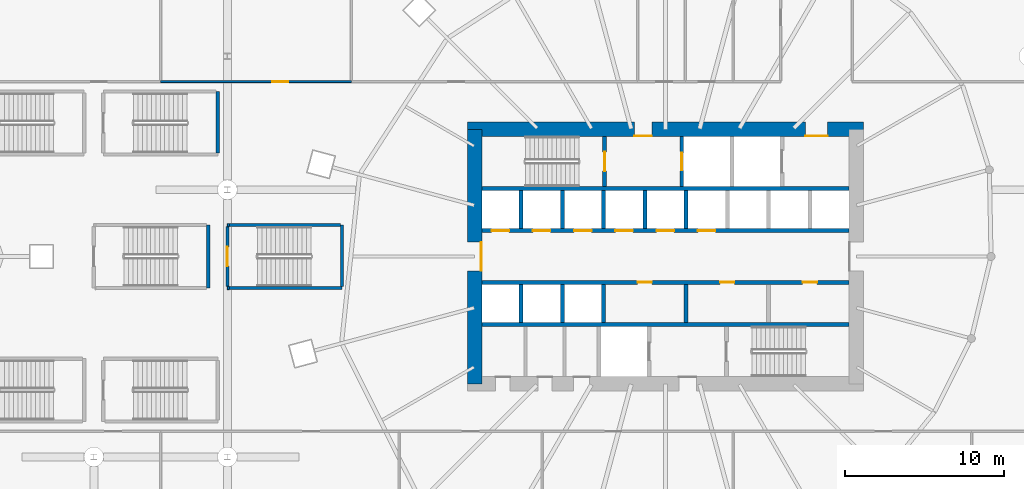
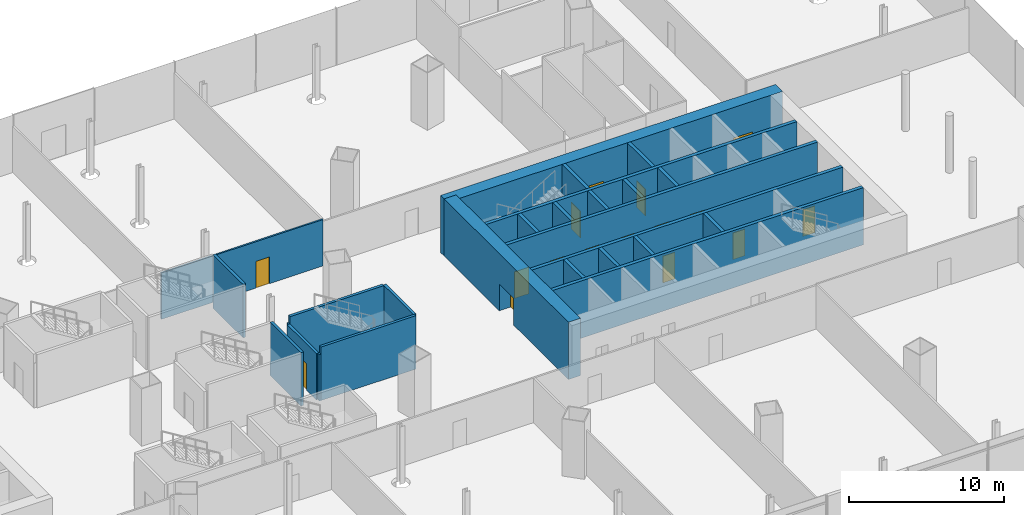
# One storey, part 42 of 56: 26 walls, 16 doors, 16 openings.
"""IFC4 building model written with IfcOpenShell, lengths in metres."""

from ifc_helpers import new_model, si_unit, direction, frame, frame_2d, origin, place, context, subcontext, project, spatial, rectangle, extrude, material, layer, layer_set, type_object, element, fill, save


model = new_model("IFC4")

# Units and contexts
model_context = context("Model", 3, precision=1e-05, world=origin(), true_north=direction((0.0, 1.0)))
body_context = subcontext(model_context, "Body", "Model", "MODEL_VIEW")
ifc_project = project(units=[si_unit("LENGTHUNIT", "METRE"), si_unit("AREAUNIT", "SQUARE_METRE"), si_unit("VOLUMEUNIT", "CUBIC_METRE"), si_unit("PLANEANGLEUNIT", "RADIAN"), si_unit("MASSUNIT", "GRAM", prefix="KILO")], contexts=[model_context])

# Site, building, storey
site_placement = place(None, origin())
site = spatial("IfcSite", under=ifc_project, at=site_placement, CompositionType="ELEMENT")
building_placement = place(site_placement, origin())
building = spatial("IfcBuilding", under=site, at=building_placement, Name="Rimbun Link Towers", CompositionType="ELEMENT")
storey_placement = place(building_placement, frame((0.0, 0.0, 16.5)))
storey = spatial("IfcBuildingStorey", under=building, at=storey_placement, Name="L03", CompositionType="ELEMENT", Elevation=16.5)

# Wall, openings, doors
ifc_material_1 = material(Name="Concrete C60/75", Category="concrete")
ifc_layer_1 = layer(ifc_material_1, 0.89990234375)
ifc_layer_set_1 = layer_set([ifc_layer_1], Name="Core shear wall 900")
wall_type_1 = type_object("IfcWallType", Name="Core shear wall 900", PredefinedType="SHEAR", material=ifc_layer_set_1)
wall_1_placement = place(storey_placement, frame((19.300048828125, 8.0, 0.0), z_axis=(0.0, 0.0, 1.0), x_axis=(1.0, 0.0, 0.0)))
wall_1 = element("IfcWall", 1, at=wall_1_placement, inside=storey, type_object=wall_type_1, Name="L03 T2 core wall N", PredefinedType="SHEAR", context=body_context, shape_type="SweptSolid", body=[
    extrude(rectangle(XDim=24.89990234375, YDim=0.89990234375, at=frame_2d((12.449951171875, 0.0))), origin(), (0.0, 0.0, 1.0), 4.5),
])
opening_1_placement = place(wall_1_placement, frame((10.5, 0.0, 0.0)))
opening_1 = element("IfcOpeningElement", 2, at=opening_1_placement, cuts=wall_1, Name="Opening C2DCF01N", PredefinedType="OPENING", context=body_context, shape_type="SweptSolid", body=[
    extrude(rectangle(XDim=1.10009765625, YDim=2.10009765625, at=frame_2d((0.550048828125, 1.050048828125))), frame((0.0, 0.4599609375, 0.0), z_axis=(0.0, -1.0, 0.0), x_axis=(1.0, 0.0, 0.0)), (0.0, 0.0, 1.0), 0.919921875),
])
opening_2_placement = place(wall_1_placement, frame((21.25, 0.0, 0.0)))
opening_2 = element("IfcOpeningElement", 3, at=opening_2_placement, cuts=wall_1, Name="Opening C2DSL02N", PredefinedType="OPENING", context=body_context, shape_type="SweptSolid", body=[
    extrude(rectangle(XDim=1.39990234375, YDim=2.10009765625, at=frame_2d((0.699951171875, 1.050048828125))), frame((0.0, 0.4599609375, 0.0), z_axis=(0.0, -1.0, 0.0), x_axis=(1.0, 0.0, 0.0)), (0.0, 0.0, 1.0), 0.919921875),
])
ifc_material_2 = material(Name="Steel fire door set", Category="steel")
door_type_1 = type_object("IfcDoorType", Name="Core fire door single", OperationType="SINGLE_SWING_LEFT", PredefinedType="DOOR", material=ifc_material_2)
door_1_placement = place(opening_1_placement, origin())
door_1 = element("IfcDoor", 4, at=door_1_placement, inside=storey, type_object=door_type_1, Name="L03 T2 firefighting lobby n door", OperationType="SINGLE_SWING_RIGHT", OverallHeight=2.10009765625, OverallWidth=1.10009765625, PredefinedType="DOOR", context=body_context, shape_type="SweptSolid", body=[
    extrude(rectangle(XDim=1.10009765625, YDim=2.10009765625, at=frame_2d((0.550048828125, 1.050048828125))), frame((0.0, -0.39990234375, 0.0), z_axis=(0.0, -1.0, 0.0), x_axis=(1.0, 0.0, 0.0)), (0.0, 0.0, 1.0), 0.050048828125),
])
fill(opening_1, door_1)
ifc_material_3 = material(Name="Steel fire door set", Category="steel")
door_type_2 = type_object("IfcDoorType", Name="Service lobby door double", OperationType="DOUBLE_DOOR_SINGLE_SWING", PredefinedType="DOOR", material=ifc_material_3)
door_2_placement = place(opening_2_placement, origin())
door_2 = element("IfcDoor", 5, at=door_2_placement, inside=storey, type_object=door_type_2, Name="L03 T2 service lobby door", OperationType="DOUBLE_DOOR_SINGLE_SWING", OverallHeight=2.10009765625, OverallWidth=1.39990234375, PredefinedType="DOOR", context=body_context, shape_type="SweptSolid", body=[
    extrude(rectangle(XDim=1.39990234375, YDim=2.10009765625, at=frame_2d((0.699951171875, 1.050048828125))), frame((0.0, -0.39990234375, 0.0), z_axis=(0.0, -1.0, 0.0), x_axis=(1.0, 0.0, 0.0)), (0.0, 0.0, 1.0), 0.050048828125),
])
fill(opening_2, door_2)

# Wall, opening, door
wall_2_placement = place(storey_placement, frame((19.75, -8.0, 0.0), z_axis=(0.0, 0.0, 1.0), x_axis=(0.0, 1.0, 0.0)))
wall_2 = element("IfcWall", 6, at=wall_2_placement, inside=storey, type_object=wall_type_1, Name="L03 T2 core wall W", PredefinedType="SHEAR", context=body_context, shape_type="SweptSolid", body=[
    extrude(rectangle(XDim=16.0, YDim=0.89990234375, at=frame_2d((8.0, 0.0))), origin(), (0.0, 0.0, 1.0), 4.5),
])
opening_3_placement = place(wall_2_placement, frame((7.10009765625, 0.0, 0.0)))
opening_3 = element("IfcOpeningElement", 7, at=opening_3_placement, cuts=wall_2, Name="Opening C2DCL01W", PredefinedType="OPENING", context=body_context, shape_type="SweptSolid", body=[
    extrude(rectangle(XDim=1.800048828125, YDim=2.10009765625, at=frame_2d((0.89990234375, 1.050048828125))), frame((0.0, 0.4599609375, 0.0), z_axis=(0.0, -1.0, 0.0), x_axis=(1.0, 0.0, 0.0)), (0.0, 0.0, 1.0), 0.919921875),
])
ifc_material_4 = material(Name="Steel fire door set", Category="steel")
door_type_3 = type_object("IfcDoorType", Name="Core lobby door double", OperationType="DOUBLE_DOOR_SINGLE_SWING", PredefinedType="DOOR", material=ifc_material_4)
door_3_placement = place(opening_3_placement, origin())
door_3 = element("IfcDoor", 8, at=door_3_placement, inside=storey, type_object=door_type_3, Name="L03 T2 lift lobby door", OperationType="DOUBLE_DOOR_SINGLE_SWING", OverallHeight=2.10009765625, OverallWidth=1.800048828125, PredefinedType="DOOR", context=body_context, shape_type="SweptSolid", body=[
    extrude(rectangle(XDim=1.800048828125, YDim=2.10009765625, at=frame_2d((0.89990234375, 1.050048828125))), frame((0.0, -0.39990234375, 0.0), z_axis=(0.0, -1.0, 0.0), x_axis=(1.0, 0.0, 0.0)), (0.0, 0.0, 1.0), 0.050048828125),
])
fill(opening_3, door_3)

ifc_material_5 = material(Name="Gypsum board on steel studs", Category="steel")
ifc_layer_2 = layer(ifc_material_5, 0.125)
ifc_layer_set_2 = layer_set([ifc_layer_2], Name="Partition 125 board on studs")
wall_type_2 = type_object("IfcWallType", Name="Partition 125 board on studs", PredefinedType="PARTITIONING", material=ifc_layer_set_2)
wall_3_placement = place(storey_placement, frame((12.0, 11.0, 0.0), z_axis=(0.0, 0.0, 1.0), x_axis=(-1.0, 0.0, 0.0)))
wall_3 = element("IfcWall", 9, at=wall_3_placement, inside=storey, type_object=wall_type_2, Name="PD/PW/L03/042", PredefinedType="PARTITIONING", context=body_context, shape_type="SweptSolid", body=[
    extrude(rectangle(XDim=12.0, YDim=0.125, at=frame_2d((6.0, 0.0))), origin(), (0.0, 0.0, 1.0), 3.64697265625),
])
opening_4_placement = place(wall_3_placement, frame((3.985107421875, 0.0, 0.0)))
opening_4 = element("IfcOpeningElement", 10, at=opening_4_placement, cuts=wall_3, Name="Opening PD D03.20", PredefinedType="OPENING", context=body_context, shape_type="SweptSolid", body=[
    extrude(rectangle(XDim=1.0, YDim=2.10009765625, at=frame_2d((0.5, 1.050048828125))), frame((0.0, 0.072509765625, 0.0), z_axis=(0.0, -1.0, 0.0), x_axis=(1.0, 0.0, 0.0)), (0.0, 0.0, 1.0), 0.14501953125),
])
ifc_material_6 = material(Name="Timber door set", Category="wood")
door_type_4 = type_object("IfcDoorType", Name="Door single leaf 1000 x 2100", OperationType="NOTDEFINED", PredefinedType="DOOR", material=ifc_material_6)
door_4_placement = place(opening_4_placement, origin())
door_4 = element("IfcDoor", 11, at=door_4_placement, inside=storey, type_object=door_type_4, Name="PD/DR/L03/020", OperationType="SINGLE_SWING_LEFT", OverallHeight=2.10009765625, OverallWidth=1.0, PredefinedType="DOOR", context=body_context, shape_type="SweptSolid", body=[
    extrude(rectangle(XDim=1.0, YDim=2.10009765625, at=frame_2d((0.5, 1.050048828125))), frame((0.0, 0.02490234375, 0.0), z_axis=(0.0, -1.0, 0.0), x_axis=(1.0, 0.0, 0.0)), (0.0, 0.0, 1.0), 0.050048828125),
])
fill(opening_4, door_4)

# Walls
ifc_material_7 = material(Name="Concrete C60/75", Category="concrete")
ifc_layer_3 = layer(ifc_material_7, 0.25)
ifc_layer_set_3 = layer_set([ifc_layer_3], Name="Shaft wall 250")
wall_type_3 = type_object("IfcWallType", Name="Shaft wall 250", PredefinedType="SHEAR", material=ifc_layer_set_3)
for number, where, z_axis, x_axis, name in (
    (12, (20.199951171875, 4.27490234375, 0.0), (0.0, 0.0, 1.0), (1.0, 0.0, 0.0), "L03 T2 core wall BN"),
    (13, (20.199951171875, -4.27490234375, 0.0), (0.0, 0.0, 1.0), (1.0, 0.0, 0.0), "L03 T2 core wall BS"),
):
    element("IfcWall", number, at=place(storey_placement, frame(where, z_axis=z_axis, x_axis=x_axis)), inside=storey, type_object=wall_type_3, Name=name, PredefinedType="SHEAR", context=body_context, shape_type="SweptSolid", body=[
        extrude(rectangle(XDim=23.10009765625, YDim=0.25, at=frame_2d((11.550048828125, 0.0))), origin(), (0.0, 0.0, 1.0), 4.5),
    ])

# Wall, openings, doors
wall_4_placement = place(storey_placement, frame((20.199951171875, 1.625, 0.0), z_axis=(0.0, 0.0, 1.0), x_axis=(1.0, 0.0, 0.0)))
wall_4 = element("IfcWall", 14, at=wall_4_placement, inside=storey, type_object=wall_type_3, Name="L03 T2 core wall FN", PredefinedType="SHEAR", context=body_context, shape_type="SweptSolid", body=[
    extrude(rectangle(XDim=23.10009765625, YDim=0.25, at=frame_2d((11.550048828125, 0.0))), origin(), (0.0, 0.0, 1.0), 4.5),
])
opening_5_placement = place(wall_4_placement, frame((0.622314453125, 0.0, 0.0)))
opening_5 = element("IfcOpeningElement", 15, at=opening_5_placement, cuts=wall_4, Name="Opening LD-T2-LR1", PredefinedType="OPENING", context=body_context, shape_type="SweptSolid", body=[
    extrude(rectangle(XDim=1.10009765625, YDim=2.10009765625, at=frame_2d((0.550048828125, 1.050048828125))), frame((0.0, 0.135009765625, 0.0), z_axis=(0.0, -1.0, 0.0), x_axis=(1.0, 0.0, 0.0)), (0.0, 0.0, 1.0), 0.27001953125),
])
opening_6_placement = place(wall_4_placement, frame((3.216796875, 0.0, 0.0)))
opening_6 = element("IfcOpeningElement", 16, at=opening_6_placement, cuts=wall_4, Name="Opening LD-T2-LR2", PredefinedType="OPENING", context=body_context, shape_type="SweptSolid", body=[
    extrude(rectangle(XDim=1.10009765625, YDim=2.10009765625, at=frame_2d((0.550048828125, 1.050048828125))), frame((0.0, 0.135009765625, 0.0), z_axis=(0.0, -1.0, 0.0), x_axis=(1.0, 0.0, 0.0)), (0.0, 0.0, 1.0), 0.27001953125),
])
opening_7_placement = place(wall_4_placement, frame((5.81103515625, 0.0, 0.0)))
opening_7 = element("IfcOpeningElement", 17, at=opening_7_placement, cuts=wall_4, Name="Opening LD-T2-LR3", PredefinedType="OPENING", context=body_context, shape_type="SweptSolid", body=[
    extrude(rectangle(XDim=1.10009765625, YDim=2.10009765625, at=frame_2d((0.550048828125, 1.050048828125))), frame((0.0, 0.135009765625, 0.0), z_axis=(0.0, -1.0, 0.0), x_axis=(1.0, 0.0, 0.0)), (0.0, 0.0, 1.0), 0.27001953125),
])
opening_8_placement = place(wall_4_placement, frame((8.405517578125, 0.0, 0.0)))
opening_8 = element("IfcOpeningElement", 18, at=opening_8_placement, cuts=wall_4, Name="Opening LD-T2-LR4", PredefinedType="OPENING", context=body_context, shape_type="SweptSolid", body=[
    extrude(rectangle(XDim=1.10009765625, YDim=2.10009765625, at=frame_2d((0.550048828125, 1.050048828125))), frame((0.0, 0.135009765625, 0.0), z_axis=(0.0, -1.0, 0.0), x_axis=(1.0, 0.0, 0.0)), (0.0, 0.0, 1.0), 0.27001953125),
])
opening_9_placement = place(wall_4_placement, frame((11.0, 0.0, 0.0)))
opening_9 = element("IfcOpeningElement", 19, at=opening_9_placement, cuts=wall_4, Name="Opening LD-T2-LR5", PredefinedType="OPENING", context=body_context, shape_type="SweptSolid", body=[
    extrude(rectangle(XDim=1.10009765625, YDim=2.10009765625, at=frame_2d((0.550048828125, 1.050048828125))), frame((0.0, 0.135009765625, 0.0), z_axis=(0.0, -1.0, 0.0), x_axis=(1.0, 0.0, 0.0)), (0.0, 0.0, 1.0), 0.27001953125),
])
opening_10_placement = place(wall_4_placement, frame((13.594482421875, 0.0, 0.0)))
opening_10 = element("IfcOpeningElement", 20, at=opening_10_placement, cuts=wall_4, Name="Opening LD-T2-LR6", PredefinedType="OPENING", context=body_context, shape_type="SweptSolid", body=[
    extrude(rectangle(XDim=1.10009765625, YDim=2.10009765625, at=frame_2d((0.550048828125, 1.050048828125))), frame((0.0, 0.135009765625, 0.0), z_axis=(0.0, -1.0, 0.0), x_axis=(1.0, 0.0, 0.0)), (0.0, 0.0, 1.0), 0.27001953125),
])
ifc_material_8 = material(Name="Stainless steel grade 316", Category="steel")
door_type_5 = type_object("IfcDoorType", Name="Lift landing door", OperationType="DOUBLE_DOOR_SLIDING", PredefinedType="DOOR", material=ifc_material_8)
door_5_placement = place(opening_5_placement, origin())
door_5 = element("IfcDoor", 21, at=door_5_placement, inside=storey, type_object=door_type_5, Name="L03 T2 lift LR1 landing door", OperationType="DOUBLE_DOOR_SLIDING", OverallHeight=2.10009765625, OverallWidth=1.10009765625, PredefinedType="DOOR", context=body_context, shape_type="SweptSolid", body=[
    extrude(rectangle(XDim=1.10009765625, YDim=2.10009765625, at=frame_2d((0.550048828125, 1.050048828125))), frame((0.0, 0.02490234375, 0.0), z_axis=(0.0, -1.0, 0.0), x_axis=(1.0, 0.0, 0.0)), (0.0, 0.0, 1.0), 0.050048828125),
])
fill(opening_5, door_5)
door_6_placement = place(opening_6_placement, origin())
door_6 = element("IfcDoor", 22, at=door_6_placement, inside=storey, type_object=door_type_5, Name="L03 T2 lift LR2 landing door", OperationType="DOUBLE_DOOR_SLIDING", OverallHeight=2.10009765625, OverallWidth=1.10009765625, PredefinedType="DOOR", context=body_context, shape_type="SweptSolid", body=[
    extrude(rectangle(XDim=1.10009765625, YDim=2.10009765625, at=frame_2d((0.550048828125, 1.050048828125))), frame((0.0, 0.02490234375, 0.0), z_axis=(0.0, -1.0, 0.0), x_axis=(1.0, 0.0, 0.0)), (0.0, 0.0, 1.0), 0.050048828125),
])
fill(opening_6, door_6)
door_7_placement = place(opening_7_placement, origin())
door_7 = element("IfcDoor", 23, at=door_7_placement, inside=storey, type_object=door_type_5, Name="L03 T2 lift LR3 landing door", OperationType="DOUBLE_DOOR_SLIDING", OverallHeight=2.10009765625, OverallWidth=1.10009765625, PredefinedType="DOOR", context=body_context, shape_type="SweptSolid", body=[
    extrude(rectangle(XDim=1.10009765625, YDim=2.10009765625, at=frame_2d((0.550048828125, 1.050048828125))), frame((0.0, 0.02490234375, 0.0), z_axis=(0.0, -1.0, 0.0), x_axis=(1.0, 0.0, 0.0)), (0.0, 0.0, 1.0), 0.050048828125),
])
fill(opening_7, door_7)
door_8_placement = place(opening_8_placement, origin())
door_8 = element("IfcDoor", 24, at=door_8_placement, inside=storey, type_object=door_type_5, Name="L03 T2 lift LR4 landing door", OperationType="DOUBLE_DOOR_SLIDING", OverallHeight=2.10009765625, OverallWidth=1.10009765625, PredefinedType="DOOR", context=body_context, shape_type="SweptSolid", body=[
    extrude(rectangle(XDim=1.10009765625, YDim=2.10009765625, at=frame_2d((0.550048828125, 1.050048828125))), frame((0.0, 0.02490234375, 0.0), z_axis=(0.0, -1.0, 0.0), x_axis=(1.0, 0.0, 0.0)), (0.0, 0.0, 1.0), 0.050048828125),
])
fill(opening_8, door_8)
door_9_placement = place(opening_9_placement, origin())
door_9 = element("IfcDoor", 25, at=door_9_placement, inside=storey, type_object=door_type_5, Name="L03 T2 lift LR5 landing door", OperationType="DOUBLE_DOOR_SLIDING", OverallHeight=2.10009765625, OverallWidth=1.10009765625, PredefinedType="DOOR", context=body_context, shape_type="SweptSolid", body=[
    extrude(rectangle(XDim=1.10009765625, YDim=2.10009765625, at=frame_2d((0.550048828125, 1.050048828125))), frame((0.0, 0.02490234375, 0.0), z_axis=(0.0, -1.0, 0.0), x_axis=(1.0, 0.0, 0.0)), (0.0, 0.0, 1.0), 0.050048828125),
])
fill(opening_9, door_9)
door_10_placement = place(opening_10_placement, origin())
door_10 = element("IfcDoor", 26, at=door_10_placement, inside=storey, type_object=door_type_5, Name="L03 T2 lift LR6 landing door", OperationType="DOUBLE_DOOR_SLIDING", OverallHeight=2.10009765625, OverallWidth=1.10009765625, PredefinedType="DOOR", context=body_context, shape_type="SweptSolid", body=[
    extrude(rectangle(XDim=1.10009765625, YDim=2.10009765625, at=frame_2d((0.550048828125, 1.050048828125))), frame((0.0, 0.02490234375, 0.0), z_axis=(0.0, -1.0, 0.0), x_axis=(1.0, 0.0, 0.0)), (0.0, 0.0, 1.0), 0.050048828125),
])
fill(opening_10, door_10)

wall_5_placement = place(storey_placement, frame((20.199951171875, -1.625, 0.0), z_axis=(0.0, 0.0, 1.0), x_axis=(1.0, 0.0, 0.0)))
wall_5 = element("IfcWall", 27, at=wall_5_placement, inside=storey, type_object=wall_type_3, Name="L03 T2 core wall FS", PredefinedType="SHEAR", context=body_context, shape_type="SweptSolid", body=[
    extrude(rectangle(XDim=23.10009765625, YDim=0.25, at=frame_2d((11.550048828125, 0.0))), origin(), (0.0, 0.0, 1.0), 4.5),
])
opening_11_placement = place(wall_5_placement, frame((9.802734375, 0.0, 0.0)))
opening_11 = element("IfcOpeningElement", 28, at=opening_11_placement, cuts=wall_5, Name="Opening C2DRS01FS", PredefinedType="OPENING", context=body_context, shape_type="SweptSolid", body=[
    extrude(rectangle(XDim=0.89990234375, YDim=2.10009765625, at=frame_2d((0.449951171875, 1.050048828125))), frame((0.0, 0.135009765625, 0.0), z_axis=(0.0, -1.0, 0.0), x_axis=(1.0, 0.0, 0.0)), (0.0, 0.0, 1.0), 0.27001953125),
])
opening_12_placement = place(wall_5_placement, frame((14.99169921875, 0.0, 0.0)))
opening_12 = element("IfcOpeningElement", 29, at=opening_12_placement, cuts=wall_5, Name="Opening C2DRS02FS", PredefinedType="OPENING", context=body_context, shape_type="SweptSolid", body=[
    extrude(rectangle(XDim=0.89990234375, YDim=2.10009765625, at=frame_2d((0.449951171875, 1.050048828125))), frame((0.0, 0.135009765625, 0.0), z_axis=(0.0, -1.0, 0.0), x_axis=(1.0, 0.0, 0.0)), (0.0, 0.0, 1.0), 0.27001953125),
])
opening_13_placement = place(wall_5_placement, frame((20.1806640625, 0.0, 0.0)))
opening_13 = element("IfcOpeningElement", 30, at=opening_13_placement, cuts=wall_5, Name="Opening C2DRS03FS", PredefinedType="OPENING", context=body_context, shape_type="SweptSolid", body=[
    extrude(rectangle(XDim=0.89990234375, YDim=2.10009765625, at=frame_2d((0.449951171875, 1.050048828125))), frame((0.0, 0.135009765625, 0.0), z_axis=(0.0, -1.0, 0.0), x_axis=(1.0, 0.0, 0.0)), (0.0, 0.0, 1.0), 0.27001953125),
])
ifc_material_9 = material(Name="Steel fire door set", Category="steel")
door_type_6 = type_object("IfcDoorType", Name="Core riser door", OperationType="SINGLE_SWING_LEFT", PredefinedType="DOOR", material=ifc_material_9)
door_11_placement = place(opening_11_placement, origin())
door_11 = element("IfcDoor", 31, at=door_11_placement, inside=storey, type_object=door_type_6, Name="L03 T2 server room door", OperationType="SINGLE_SWING_LEFT", OverallHeight=2.10009765625, OverallWidth=0.89990234375, PredefinedType="DOOR", context=body_context, shape_type="SweptSolid", body=[
    extrude(rectangle(XDim=0.89990234375, YDim=2.10009765625, at=frame_2d((0.449951171875, 1.050048828125))), frame((0.0, 0.02490234375, 0.0), z_axis=(0.0, -1.0, 0.0), x_axis=(1.0, 0.0, 0.0)), (0.0, 0.0, 1.0), 0.050048828125),
])
fill(opening_11, door_11)
door_12_placement = place(opening_12_placement, origin())
door_12 = element("IfcDoor", 32, at=door_12_placement, inside=storey, type_object=door_type_6, Name="L03 T2 print room door", OperationType="SINGLE_SWING_RIGHT", OverallHeight=2.10009765625, OverallWidth=0.89990234375, PredefinedType="DOOR", context=body_context, shape_type="SweptSolid", body=[
    extrude(rectangle(XDim=0.89990234375, YDim=2.10009765625, at=frame_2d((0.449951171875, 1.050048828125))), frame((0.0, 0.02490234375, 0.0), z_axis=(0.0, -1.0, 0.0), x_axis=(1.0, 0.0, 0.0)), (0.0, 0.0, 1.0), 0.050048828125),
])
fill(opening_12, door_12)
door_13_placement = place(opening_13_placement, origin())
door_13 = element("IfcDoor", 33, at=door_13_placement, inside=storey, type_object=door_type_6, Name="L03 T2 staff lounge door", OperationType="SINGLE_SWING_LEFT", OverallHeight=2.10009765625, OverallWidth=0.89990234375, PredefinedType="DOOR", context=body_context, shape_type="SweptSolid", body=[
    extrude(rectangle(XDim=0.89990234375, YDim=2.10009765625, at=frame_2d((0.449951171875, 1.050048828125))), frame((0.0, 0.02490234375, 0.0), z_axis=(0.0, -1.0, 0.0), x_axis=(1.0, 0.0, 0.0)), (0.0, 0.0, 1.0), 0.050048828125),
])
fill(opening_13, door_13)

# Walls
for number, where, z_axis, x_axis, name in (
    (34, (22.66943359375, 1.75, 0.0), (0.0, 0.0, 1.0), (0.0, 1.0, 0.0), "L03 T2 core wall DN0"),
    (35, (25.263916015625, 1.75, 0.0), (0.0, 0.0, 1.0), (0.0, 1.0, 0.0), "L03 T2 core wall DN1"),
    (36, (27.8583984375, 1.75, 0.0), (0.0, 0.0, 1.0), (0.0, 1.0, 0.0), "L03 T2 core wall DN2"),
    (37, (30.452880859375, 1.75, 0.0), (0.0, 0.0, 1.0), (0.0, 1.0, 0.0), "L03 T2 core wall DN3"),
    (38, (33.047119140625, 1.75, 0.0), (0.0, 0.0, 1.0), (0.0, 1.0, 0.0), "L03 T2 core wall DN4"),
    (39, (22.66943359375, -4.14990234375, 0.0), (0.0, 0.0, 1.0), (0.0, 1.0, 0.0), "L03 T2 core wall DS0"),
    (40, (25.263916015625, -4.14990234375, 0.0), (0.0, 0.0, 1.0), (0.0, 1.0, 0.0), "L03 T2 core wall DS1"),
    (41, (27.8583984375, -4.14990234375, 0.0), (0.0, 0.0, 1.0), (0.0, 1.0, 0.0), "L03 T2 core wall DS2"),
    (42, (33.047119140625, -4.14990234375, 0.0), (0.0, 0.0, 1.0), (0.0, 1.0, 0.0), "L03 T2 core wall DS4"),
):
    element("IfcWall", number, at=place(storey_placement, frame(where, z_axis=z_axis, x_axis=x_axis)), inside=storey, type_object=wall_type_3, Name=name, PredefinedType="SHEAR", context=body_context, shape_type="SweptSolid", body=[
        extrude(rectangle(XDim=2.39990234375, YDim=0.25, at=frame_2d((1.199951171875, 0.0))), origin(), (0.0, 0.0, 1.0), 4.5),
    ])

# Wall, opening, door
wall_6_placement = place(storey_placement, frame((27.925048828125, 4.39990234375, 0.0), z_axis=(0.0, 0.0, 1.0), x_axis=(0.0, 1.0, 0.0)))
wall_6 = element("IfcWall", 43, at=wall_6_placement, inside=storey, type_object=wall_type_3, Name="L03 T2 core wall A1", PredefinedType="SHEAR", context=body_context, shape_type="SweptSolid", body=[
    extrude(rectangle(XDim=3.150146484375, YDim=0.25, at=frame_2d((1.5751953125, 0.0))), origin(), (0.0, 0.0, 1.0), 4.5),
])
opening_14_placement = place(wall_6_placement, frame((0.97509765625, 0.0, 0.0)))
opening_14 = element("IfcOpeningElement", 44, at=opening_14_placement, cuts=wall_6, Name="Opening C2DST01A1", PredefinedType="OPENING", context=body_context, shape_type="SweptSolid", body=[
    extrude(rectangle(XDim=1.199951171875, YDim=2.10009765625, at=frame_2d((0.60009765625, 1.050048828125))), frame((0.0, 0.135009765625, 0.0), z_axis=(0.0, -1.0, 0.0), x_axis=(1.0, 0.0, 0.0)), (0.0, 0.0, 1.0), 0.27001953125),
])
ifc_material_10 = material(Name="Steel fire door set", Category="steel")
door_type_7 = type_object("IfcDoorType", Name="Stair door", OperationType="SINGLE_SWING_LEFT", PredefinedType="DOOR", material=ifc_material_10)
door_14_placement = place(opening_14_placement, origin())
door_14 = element("IfcDoor", 45, at=door_14_placement, inside=storey, type_object=door_type_7, Name="L03 T2 stair a door", OperationType="SINGLE_SWING_RIGHT", OverallHeight=2.10009765625, OverallWidth=1.199951171875, PredefinedType="DOOR", context=body_context, shape_type="SweptSolid", body=[
    extrude(rectangle(XDim=1.199951171875, YDim=2.10009765625, at=frame_2d((0.60009765625, 1.050048828125))), frame((0.0, 0.02490234375, 0.0), z_axis=(0.0, -1.0, 0.0), x_axis=(1.0, 0.0, 0.0)), (0.0, 0.0, 1.0), 0.050048828125),
])
fill(opening_14, door_14)

wall_7_placement = place(storey_placement, frame((32.77490234375, 4.39990234375, 0.0), z_axis=(0.0, 0.0, 1.0), x_axis=(0.0, 1.0, 0.0)))
wall_7 = element("IfcWall", 46, at=wall_7_placement, inside=storey, type_object=wall_type_3, Name="L03 T2 core wall A2", PredefinedType="SHEAR", context=body_context, shape_type="SweptSolid", body=[
    extrude(rectangle(XDim=3.150146484375, YDim=0.25, at=frame_2d((1.5751953125, 0.0))), origin(), (0.0, 0.0, 1.0), 4.5),
])
opening_15_placement = place(wall_7_placement, frame((1.02490234375, 0.0, 0.0)))
opening_15 = element("IfcOpeningElement", 47, at=opening_15_placement, cuts=wall_7, Name="Opening LD-T2-FF1", PredefinedType="OPENING", context=body_context, shape_type="SweptSolid", body=[
    extrude(rectangle(XDim=1.10009765625, YDim=2.10009765625, at=frame_2d((0.550048828125, 1.050048828125))), frame((0.0, 0.135009765625, 0.0), z_axis=(0.0, -1.0, 0.0), x_axis=(1.0, 0.0, 0.0)), (0.0, 0.0, 1.0), 0.27001953125),
])
door_15_placement = place(opening_15_placement, origin())
door_15 = element("IfcDoor", 48, at=door_15_placement, inside=storey, type_object=door_type_5, Name="L03 T2 lift FF1 landing door", OperationType="DOUBLE_DOOR_SLIDING", OverallHeight=2.10009765625, OverallWidth=1.10009765625, PredefinedType="DOOR", context=body_context, shape_type="SweptSolid", body=[
    extrude(rectangle(XDim=1.10009765625, YDim=2.10009765625, at=frame_2d((0.550048828125, 1.050048828125))), frame((0.0, 0.02490234375, 0.0), z_axis=(0.0, -1.0, 0.0), x_axis=(1.0, 0.0, 0.0)), (0.0, 0.0, 1.0), 0.050048828125),
])
fill(opening_15, door_15)

# Walls
ifc_material_11 = material(Name="Concrete C40/50", Category="concrete")
ifc_layer_4 = layer(ifc_material_11, 0.199951171875)
ifc_layer_set_4 = layer_set([ifc_layer_4], Name="Stair shaft wall 200")
wall_type_4 = type_object("IfcWallType", Name="Stair shaft wall 200", PredefinedType="SOLIDWALL", material=ifc_layer_set_4)
wall_8_placement = place(storey_placement, frame((3.60009765625, 6.52490234375, 0.0), z_axis=(0.0, 0.0, 1.0), x_axis=(0.0, 1.0, 0.0)))
element("IfcWall", 49, at=wall_8_placement, inside=storey, type_object=wall_type_4, Name="PD/PW/L03/014", PredefinedType="SOLIDWALL", context=body_context, shape_type="SweptSolid", body=[
    extrude(rectangle(XDim=3.85009765625, YDim=0.199951171875, at=frame_2d((1.925048828125, 0.0))), origin(), (0.0, 0.0, 1.0), 4.199951171875),
])
wall_9_placement = place(storey_placement, frame((4.199951171875, -1.97509765625, 0.0), z_axis=(0.0, 0.0, 1.0), x_axis=(1.0, 0.0, 0.0)))
element("IfcWall", 50, at=wall_9_placement, inside=storey, type_object=wall_type_4, Name="PD/PW/L03/017", PredefinedType="SOLIDWALL", context=body_context, shape_type="SweptSolid", body=[
    extrude(rectangle(XDim=0.124755859375, YDim=0.199951171875, at=frame_2d((0.0625, 0.0))), origin(), (0.0, 0.0, 1.0), 3.64697265625),
])
wall_10_placement = place(storey_placement, frame((4.32470703125, -1.97509765625, 0.0), z_axis=(0.0, 0.0, 1.0), x_axis=(1.0, 0.0, 0.0)))
element("IfcWall", 51, at=wall_10_placement, inside=storey, type_object=wall_type_4, Name="PD/PW/L03/017b", PredefinedType="SOLIDWALL", context=body_context, shape_type="SweptSolid", body=[
    extrude(rectangle(XDim=7.0751953125, YDim=0.199951171875, at=frame_2d((3.53759765625, 0.0))), origin(), (0.0, 0.0, 1.0), 4.199951171875),
])
wall_11_placement = place(storey_placement, frame((11.39990234375, -1.875, 0.0), z_axis=(0.0, 0.0, 1.0), x_axis=(0.0, 1.0, 0.0)))
element("IfcWall", 52, at=wall_11_placement, inside=storey, type_object=wall_type_4, Name="PD/PW/L03/018", PredefinedType="SOLIDWALL", context=body_context, shape_type="SweptSolid", body=[
    extrude(rectangle(XDim=3.85009765625, YDim=0.199951171875, at=frame_2d((1.925048828125, 0.0))), origin(), (0.0, 0.0, 1.0), 4.199951171875),
])
wall_12_placement = place(storey_placement, frame((11.300048828125, 1.97509765625, 0.0), z_axis=(0.0, 0.0, 1.0), x_axis=(-1.0, 0.0, 0.0)))
element("IfcWall", 53, at=wall_12_placement, inside=storey, type_object=wall_type_4, Name="PD/PW/L03/019", PredefinedType="SOLIDWALL", context=body_context, shape_type="SweptSolid", body=[
    extrude(rectangle(XDim=6.975341796875, YDim=0.199951171875, at=frame_2d((3.48779296875, 0.0))), origin(), (0.0, 0.0, 1.0), 4.199951171875),
])
wall_13_placement = place(storey_placement, frame((4.32470703125, 1.97509765625, 0.0), z_axis=(0.0, 0.0, 1.0), x_axis=(-1.0, 0.0, 0.0)))
element("IfcWall", 54, at=wall_13_placement, inside=storey, type_object=wall_type_4, Name="PD/PW/L03/019b", PredefinedType="SOLIDWALL", context=body_context, shape_type="SweptSolid", body=[
    extrude(rectangle(XDim=0.124755859375, YDim=0.199951171875, at=frame_2d((0.0625, 0.0))), origin(), (0.0, 0.0, 1.0), 3.64697265625),
])

# Wall, opening, door
wall_14_placement = place(storey_placement, frame((4.199951171875, 1.875, 0.0), z_axis=(0.0, 0.0, 1.0), x_axis=(0.0, -1.0, 0.0)))
wall_14 = element("IfcWall", 55, at=wall_14_placement, inside=storey, type_object=wall_type_4, Name="PD/PW/L03/020", PredefinedType="SOLIDWALL", context=body_context, shape_type="SweptSolid", body=[
    extrude(rectangle(XDim=3.75, YDim=0.199951171875, at=frame_2d((1.875, 0.0))), origin(), (0.0, 0.0, 1.0), 3.64697265625),
])
opening_16_placement = place(wall_14_placement, frame((1.27490234375, 0.0, 0.0)))
opening_16 = element("IfcOpeningElement", 56, at=opening_16_placement, cuts=wall_14, Name="Opening PD DS5", PredefinedType="OPENING", context=body_context, shape_type="SweptSolid", body=[
    extrude(rectangle(XDim=1.199951171875, YDim=2.10009765625, at=frame_2d((0.60009765625, 1.050048828125))), frame((0.0, 0.10986328125, 0.0), z_axis=(0.0, -1.0, 0.0), x_axis=(1.0, 0.0, 0.0)), (0.0, 0.0, 1.0), 0.219970703125),
])
door_16_placement = place(opening_16_placement, frame((1.199951171875, 0.0, 0.0), z_axis=(0.0, 0.0, 1.0), x_axis=(-1.0, 0.0, 0.0)))
door_16 = element("IfcDoor", 57, at=door_16_placement, inside=storey, type_object=door_type_7, Name="PD/DR/L03/S5", OperationType="SINGLE_SWING_LEFT", OverallHeight=2.10009765625, OverallWidth=1.199951171875, PredefinedType="DOOR", context=body_context, shape_type="SweptSolid", body=[
    extrude(rectangle(XDim=1.199951171875, YDim=2.10009765625, at=frame_2d((0.60009765625, 1.050048828125))), frame((0.0, 0.02490234375, 0.0), z_axis=(0.0, -1.0, 0.0), x_axis=(1.0, 0.0, 0.0)), (0.0, 0.0, 1.0), 0.050048828125),
])
fill(opening_16, door_16)

# Wall
wall_15_placement = place(storey_placement, frame((3.0, -1.97509765625, 0.0), z_axis=(0.0, 0.0, 1.0), x_axis=(0.0, 1.0, 0.0)))
element("IfcWall", 58, at=wall_15_placement, inside=storey, type_object=wall_type_4, Name="PD/PW/L03/021", PredefinedType="SOLIDWALL", context=body_context, shape_type="SweptSolid", body=[
    extrude(rectangle(XDim=3.9501953125, YDim=0.199951171875, at=frame_2d((1.97509765625, 0.0))), origin(), (0.0, 0.0, 1.0), 4.199951171875),
])

save(model, "model.ifc")
